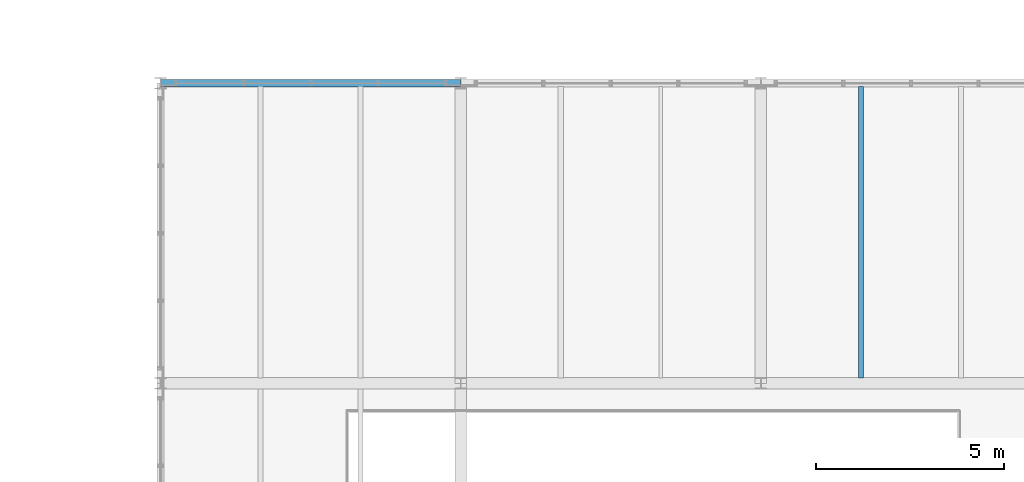
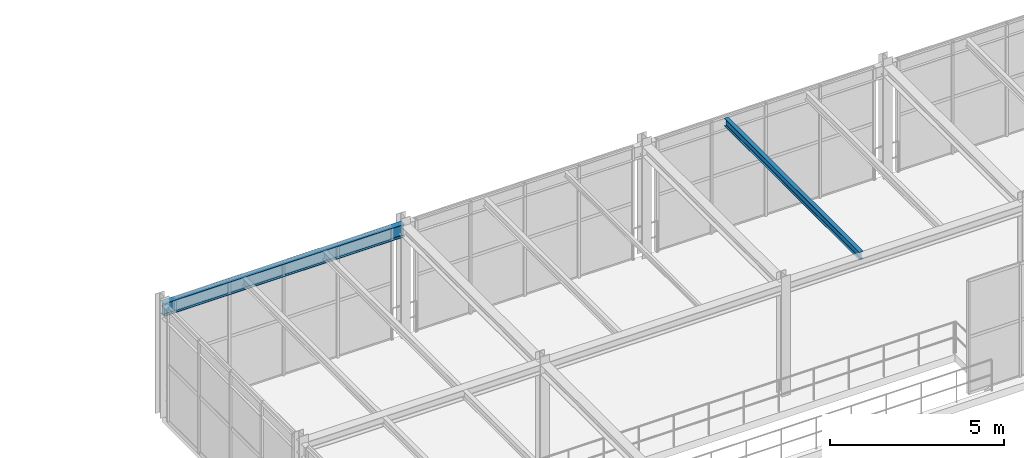
# One storey, part 47 of 124: 2 beams.
"""IFC4 building model written with IfcOpenShell, lengths in metres."""

from ifc_helpers import new_model, si_unit, direction, frame, origin, origin_2d, place, context, subcontext, project, spatial, i_section, extrude, material, material_profile, profile_set, type_object, element, save


model = new_model("IFC4")

# Units and contexts
model_context = context("Model", 3, precision=1e-05, world=origin(), true_north=direction((0.0, 1.0)))
body_context = subcontext(model_context, "Body", "Model", "MODEL_VIEW")
ifc_project = project(units=[si_unit("LENGTHUNIT", "METRE"), si_unit("AREAUNIT", "SQUARE_METRE"), si_unit("VOLUMEUNIT", "CUBIC_METRE"), si_unit("PLANEANGLEUNIT", "RADIAN"), si_unit("MASSUNIT", "GRAM", prefix="KILO")], contexts=[model_context])

# Site, building, storey
site_placement = place(None, origin())
site = spatial("IfcSite", under=ifc_project, at=site_placement, CompositionType="ELEMENT")
building_placement = place(site_placement, origin())
building = spatial("IfcBuilding", under=site, at=building_placement, Name="Sundkrona Museum", CompositionType="ELEMENT")
storey_placement = place(building_placement, frame((0.0, 0.0, 17.60009765625)))
storey = spatial("IfcBuildingStorey", under=building, at=storey_placement, Name="L03", CompositionType="ELEMENT", Elevation=17.60009765625)

# Beams
ifc_material = material(Name="Steel S355J2", Category="steel")
ifc_material_profile_1 = material_profile(ifc_material, i_section(OverallWidth=0.135009765625, OverallDepth=0.27001953125, WebThickness=0.006591796875, FlangeThickness=0.01025390625, FilletRadius=0.014892578125, at=origin_2d()), Name="IPE 270")
ifc_profile_set_1 = profile_set([ifc_material_profile_1], Name="Steel S355J2")
beam_type_1 = type_object("IfcBeamType", Name="J-IPE270", PredefinedType="JOIST", material=ifc_profile_set_1)
beam_1_placement = place(storey_placement, frame((98.666748046875, 32.14404296875, 3.804931640625), z_axis=(0.0, 1.0, 0.0), x_axis=(-1.0, 0.0, 0.0)))
element("IfcBeam", 1, at=beam_1_placement, inside=storey, type_object=beam_type_1, Name="L03 Composite Joist 1058", PredefinedType="JOIST", context=body_context, shape_type="SweptSolid", body=[
    extrude(i_section(OverallWidth=0.135009765625, OverallDepth=0.27001953125, WebThickness=0.006591796875, FlangeThickness=0.01025390625, FilletRadius=0.014892578125, at=origin_2d()), origin(), (0.0, 0.0, 1.0), 7.766845703125),
])
ifc_material_profile_2 = material_profile(ifc_material, i_section(OverallWidth=0.18994140625, OverallDepth=0.449951171875, WebThickness=0.009521484375, FlangeThickness=0.0146484375, FilletRadius=0.02099609375, at=origin_2d()), Name="IPE 450")
ifc_profile_set_2 = profile_set([ifc_material_profile_2], Name="Steel S355J2")
beam_type_2 = type_object("IfcBeamType", Name="SP-IPE450", PredefinedType="SPANDREL", material=ifc_profile_set_2)
beam_2_placement = place(storey_placement, frame((80.0, 40.0, 3.71484375), z_axis=(1.0, 0.0, 0.0), x_axis=(0.0, 1.0, 0.0)))
element("IfcBeam", 2, at=beam_2_placement, inside=storey, type_object=beam_type_2, Name="L03 Girder X-1457", PredefinedType="SPANDREL", context=body_context, shape_type="SweptSolid", body=[
    extrude(i_section(OverallWidth=0.18994140625, OverallDepth=0.449951171875, WebThickness=0.009521484375, FlangeThickness=0.0146484375, FilletRadius=0.02099609375, at=origin_2d()), origin(), (0.0, 0.0, 1.0), 8.0),
])

save(model, "model.ifc")
